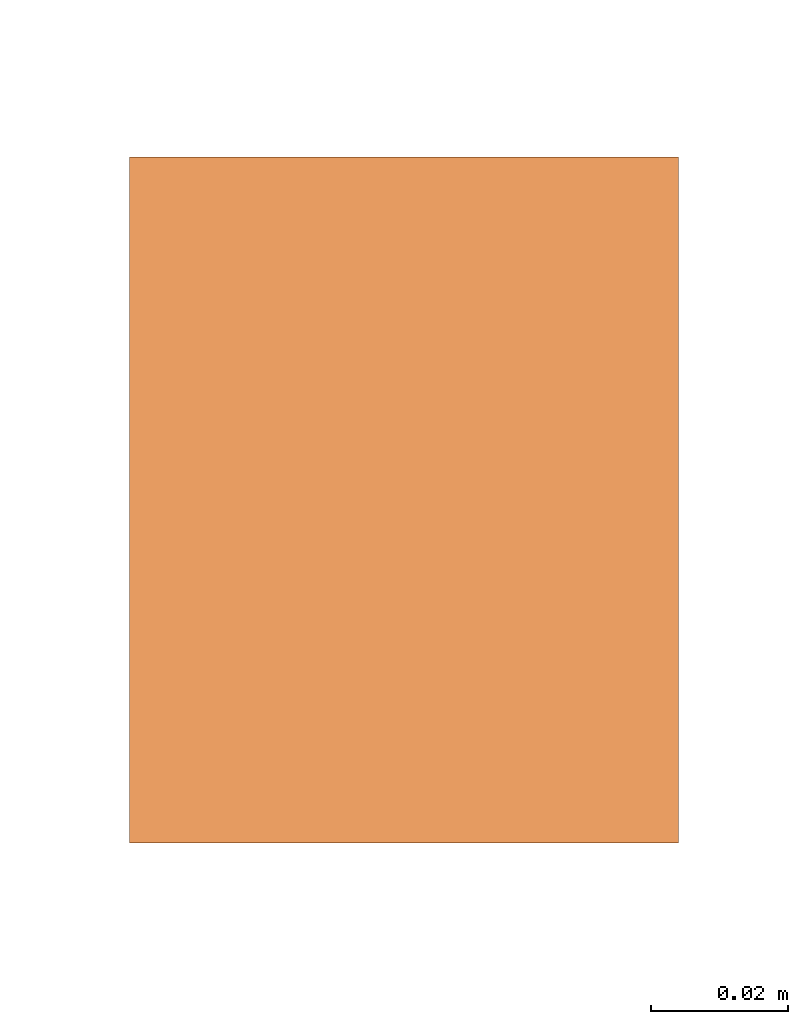
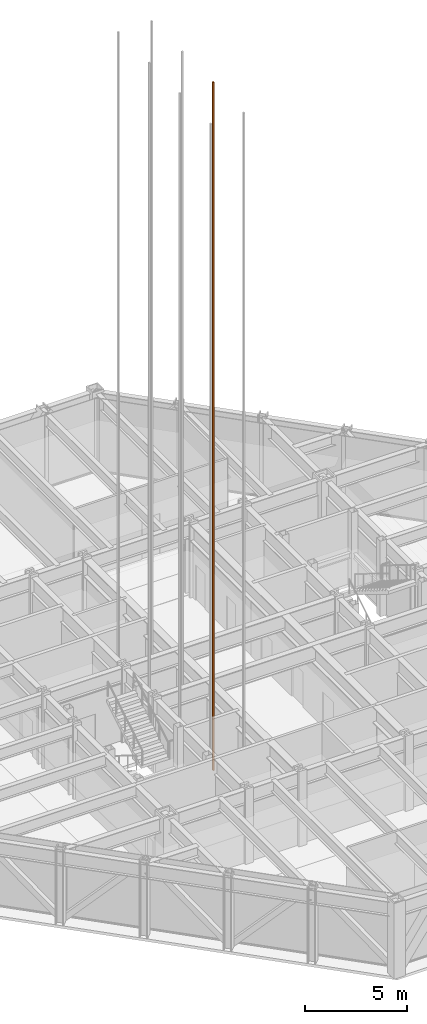
# One storey, part 20 of 24: 1 proxy.
"""IFC4 building model written with IfcOpenShell, lengths in metres."""

from ifc_helpers import new_model, si_unit, direction, frame, origin, origin_2d, place, context, subcontext, project, spatial, rectangle, extrude, material, type_object, element, save


model = new_model("IFC4")

# Units and contexts
model_context = context("Model", 3, precision=1e-05, world=origin(), true_north=direction((0.0, 1.0)))
body_context = subcontext(model_context, "Body", "Model", "MODEL_VIEW")
ifc_project = project(units=[si_unit("LENGTHUNIT", "METRE"), si_unit("AREAUNIT", "SQUARE_METRE"), si_unit("VOLUMEUNIT", "CUBIC_METRE"), si_unit("PLANEANGLEUNIT", "RADIAN"), si_unit("MASSUNIT", "GRAM", prefix="KILO")], contexts=[model_context])

# Site, building, storey
site_placement = place(None, origin())
site = spatial("IfcSite", under=ifc_project, at=site_placement, CompositionType="ELEMENT")
building_placement = place(site_placement, origin())
building = spatial("IfcBuilding", under=site, at=building_placement, Name="Chuquiago Exchange Tower", CompositionType="ELEMENT")
storey_placement = place(building_placement, frame((0.0, 0.0, 257.699951171875)))
storey = spatial("IfcBuildingStorey", under=building, at=storey_placement, Name="L57", CompositionType="ELEMENT", Elevation=257.699951171875)

# Proxy
ifc_material = material(Name="Galvanised steel guide rail", Category="steel")
building_element_proxy_type = type_object("IfcBuildingElementProxyType", Name="LR lift guide rail", PredefinedType="NOTDEFINED", material=ifc_material)
proxy_placement = place(storey_placement, frame((18.93505859375, 19.5, 0.0), z_axis=(0.0, 0.0, 1.0), x_axis=(1.0, 0.0, 0.0)))
element("IfcBuildingElementProxy", 1, at=proxy_placement, inside=storey, type_object=building_element_proxy_type, Name="Lift LD2 guide rail E", PredefinedType="NOTDEFINED", context=body_context, shape_type="SweptSolid", body=[
    extrude(rectangle(XDim=0.080078125, YDim=0.10009765625, at=origin_2d()), origin(), (0.0, 0.0, 1.0), 41.0),
])

save(model, "model.ifc")
